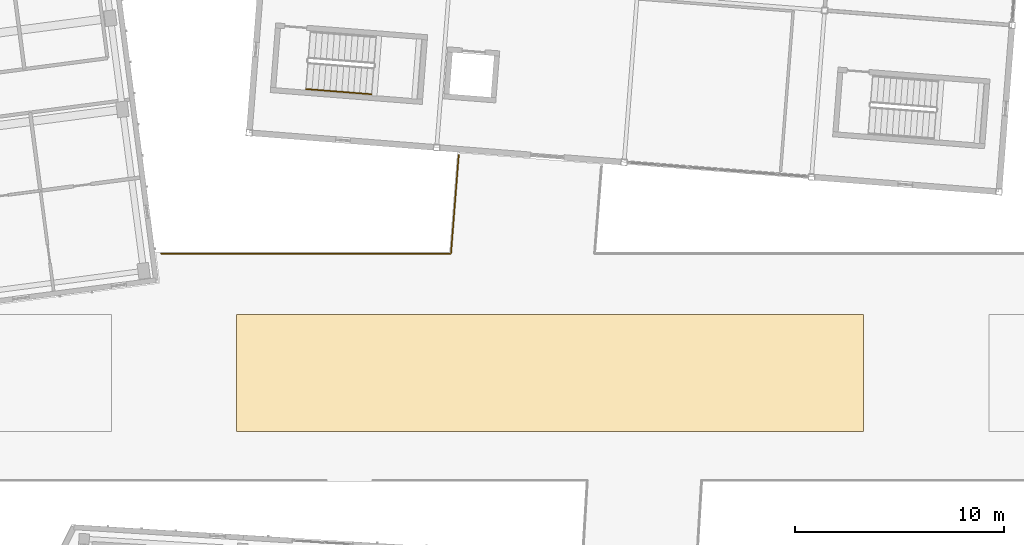
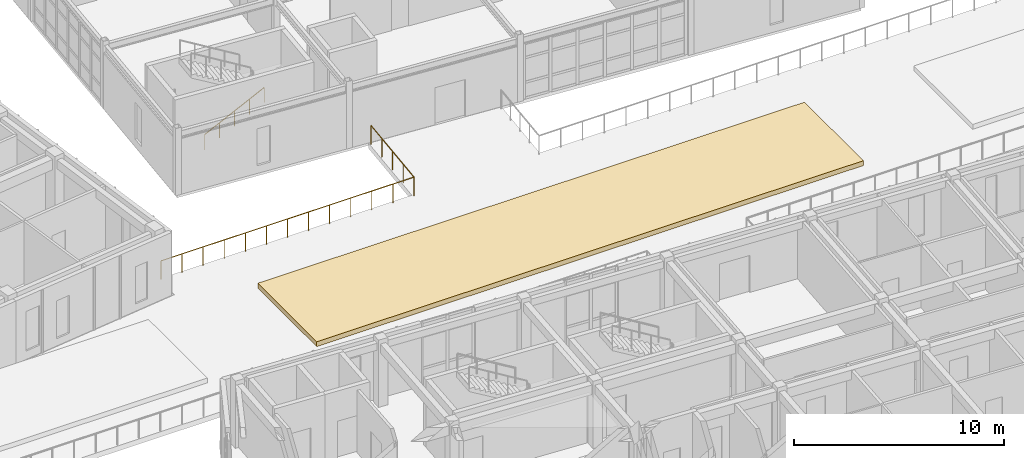
# One storey, part 132 of 150: 2 railings, 1 covering.
"""IFC4 building model written with IfcOpenShell, lengths in metres."""

from ifc_helpers import new_model, si_unit, direction, frame, origin, origin_2d, place, context, subcontext, project, spatial, polyline, circle, outline, extrude, material, layer, layer_set, type_object, element, save


model = new_model("IFC4")

# Units and contexts
model_context = context("Model", 3, precision=1e-05, world=origin(), true_north=direction((0.0, 1.0)))
body_context = subcontext(model_context, "Body", "Model", "MODEL_VIEW")
ifc_project = project(units=[si_unit("LENGTHUNIT", "METRE"), si_unit("AREAUNIT", "SQUARE_METRE"), si_unit("VOLUMEUNIT", "CUBIC_METRE"), si_unit("PLANEANGLEUNIT", "RADIAN"), si_unit("MASSUNIT", "GRAM", prefix="KILO")], contexts=[model_context])

# Site, building, storey
site_placement = place(None, origin())
site = spatial("IfcSite", under=ifc_project, at=site_placement, CompositionType="ELEMENT")
building_placement = place(site_placement, origin())
building = spatial("IfcBuilding", under=site, at=building_placement, Name="Kestramere Prow Commons", CompositionType="ELEMENT")
storey_placement = place(building_placement, frame((0.0, 0.0, 4.5)))
storey = spatial("IfcBuildingStorey", under=building, at=storey_placement, Name="L01", CompositionType="ELEMENT", Elevation=4.5)

# Covering
ifc_material_1 = material(Name="Planted Tropical Rain-Garden Soil and Foliage")
ifc_layer = layer(ifc_material_1, 0.280029296875)
ifc_layer_set = layer_set([ifc_layer], Name="Planted Tropical Rain-Garden Soil and Foliage")
covering_type = type_object("IfcCoveringType", Name="COV-PLANT-STRIP", PredefinedType="USERDEFINED", material=ifc_layer_set)
covering_placement = place(storey_placement, origin())
element("IfcCovering", 1, at=covering_placement, inside=storey, type_object=covering_type, Name="Raised Courtyard Planted Rain-Garden Bed PLST-CRT-C2", ObjectType="PLANTED STRIP", PredefinedType="USERDEFINED", context=body_context, shape_type="SweptSolid", body=[
    extrude(outline(polyline([(68.0, 71.199951171875), (68.0, 76.800048828125), (98.0, 76.800048828125), (98.0, 71.199951171875), (68.0, 71.199951171875)])), origin(), (0.0, 0.0, 1.0), 0.280029296875),
])

# Railings
ifc_material_2 = material(Name="Powder-Coated Aluminium 6063-T6", Category="aluminium")
railing_type_1 = type_object("IfcRailingType", Name="GRD-BALC-1100", PredefinedType="BALUSTRADE", material=ifc_material_2)
railing_1_placement = place(storey_placement, frame((64.377197265625, 79.719970703125, 0.0)))
element("IfcRailing", 2, at=railing_1_placement, inside=storey, type_object=railing_type_1, Name="Raised Central Courtyard Perimeter Guardrail 5", PredefinedType="BALUSTRADE", context=body_context, shape_type="SweptSolid", body=[
    extrude(circle(Radius=0.02392578125, at=origin_2d()), frame((0.0, 0.0, 1.076171875), z_axis=(1.0, 0.0, 0.0), x_axis=(0.0, 1.0, 0.0)), (0.0, 0.0, 1.0), 13.879150390625),
    extrude(circle(Radius=0.02392578125, at=origin_2d()), frame((13.879150390625, 0.0, 1.076171875), z_axis=(0.078443004088, 0.996918600042, 0.0), x_axis=(-0.996918600042, 0.078443004088, 0.0)), (0.0, 0.0, 1.0), 4.724609375),
    extrude(circle(Radius=0.02099609375, at=origin_2d()), origin(), (0.0, 0.0, 1.0), 1.052001953125),
    extrude(circle(Radius=0.02099609375, at=origin_2d()), frame((1.156494140625, 0.0, 0.0)), (0.0, 0.0, 1.0), 1.052001953125),
    extrude(circle(Radius=0.02099609375, at=origin_2d()), frame((2.313232421875, 0.0, 0.0)), (0.0, 0.0, 1.0), 1.052001953125),
    extrude(circle(Radius=0.02099609375, at=origin_2d()), frame((3.4697265625, 0.0, 0.0)), (0.0, 0.0, 1.0), 1.052001953125),
    extrude(circle(Radius=0.02099609375, at=origin_2d()), frame((4.62646484375, 0.0, 0.0)), (0.0, 0.0, 1.0), 1.052001953125),
    extrude(circle(Radius=0.02099609375, at=origin_2d()), frame((5.782958984375, 0.0, 0.0)), (0.0, 0.0, 1.0), 1.052001953125),
    extrude(circle(Radius=0.02099609375, at=origin_2d()), frame((6.939453125, 0.0, 0.0)), (0.0, 0.0, 1.0), 1.052001953125),
    extrude(circle(Radius=0.02099609375, at=origin_2d()), frame((8.09619140625, 0.0, 0.0)), (0.0, 0.0, 1.0), 1.052001953125),
    extrude(circle(Radius=0.02099609375, at=origin_2d()), frame((9.252685546875, 0.0, 0.0)), (0.0, 0.0, 1.0), 1.052001953125),
    extrude(circle(Radius=0.02099609375, at=origin_2d()), frame((10.409423828125, 0.0, 0.0)), (0.0, 0.0, 1.0), 1.052001953125),
    extrude(circle(Radius=0.02099609375, at=origin_2d()), frame((11.56591796875, 0.0, 0.0)), (0.0, 0.0, 1.0), 1.052001953125),
    extrude(circle(Radius=0.02099609375, at=origin_2d()), frame((12.72265625, 0.0, 0.0)), (0.0, 0.0, 1.0), 1.052001953125),
    extrude(circle(Radius=0.02099609375, at=origin_2d()), frame((13.879150390625, 0.0, 0.0)), (0.0, 0.0, 1.0), 1.052001953125),
    extrude(circle(Radius=0.02099609375, at=origin_2d()), frame((13.9716796875, 1.177490234375, 0.0)), (0.0, 0.0, 1.0), 1.052001953125),
    extrude(circle(Radius=0.02099609375, at=origin_2d()), frame((14.064453125, 2.35498046875, 0.0)), (0.0, 0.0, 1.0), 1.052001953125),
    extrude(circle(Radius=0.02099609375, at=origin_2d()), frame((14.1572265625, 3.532470703125, 0.0)), (0.0, 0.0, 1.0), 1.052001953125),
    extrude(circle(Radius=0.02099609375, at=origin_2d()), frame((14.249755859375, 4.7099609375, 0.0)), (0.0, 0.0, 1.0), 1.052001953125),
])
ifc_material_3 = material(Name="Stainless Steel 304", Category="steel")
railing_type_2 = type_object("IfcRailingType", Name="RL-ST-HR-900", PredefinedType="HANDRAIL", material=ifc_material_3)
railing_2_placement = place(storey_placement, frame((71.322509765625, 87.5927734375, 0.324951171875)))
element("IfcRailing", 3, at=railing_2_placement, inside=storey, type_object=railing_type_2, Name="L01 ST-N1 stair handrail 1", PredefinedType="HANDRAIL", context=body_context, shape_type="SweptSolid", body=[
    extrude(circle(Radius=0.02392578125, at=origin_2d()), frame((0.0, 0.0, 0.8759765625), z_axis=(0.866034654495, -0.068121926033, 0.495321491971), x_axis=(0.078417361485, 0.99692061741, 0.0)), (0.0, 0.0, 1.0), 3.60888671875),
    extrude(circle(Radius=0.02099609375, at=origin_2d()), origin(), (0.0, 0.0, 1.0), 0.851806640625),
    extrude(circle(Radius=0.02099609375, at=origin_2d()), frame((0.78125, -0.0615234375, 0.44677734375)), (0.0, 0.0, 1.0), 0.851806640625),
    extrude(circle(Radius=0.02099609375, at=origin_2d()), frame((1.562744140625, -0.123046875, 0.893798828125)), (0.0, 0.0, 1.0), 0.851806640625),
    extrude(circle(Radius=0.02099609375, at=origin_2d()), frame((2.34423828125, -0.184326171875, 1.3408203125)), (0.0, 0.0, 1.0), 0.851806640625),
    extrude(circle(Radius=0.02099609375, at=origin_2d()), frame((3.12548828125, -0.245849609375, 1.78759765625)), (0.0, 0.0, 1.0), 0.851806640625),
])

save(model, "model.ifc")
